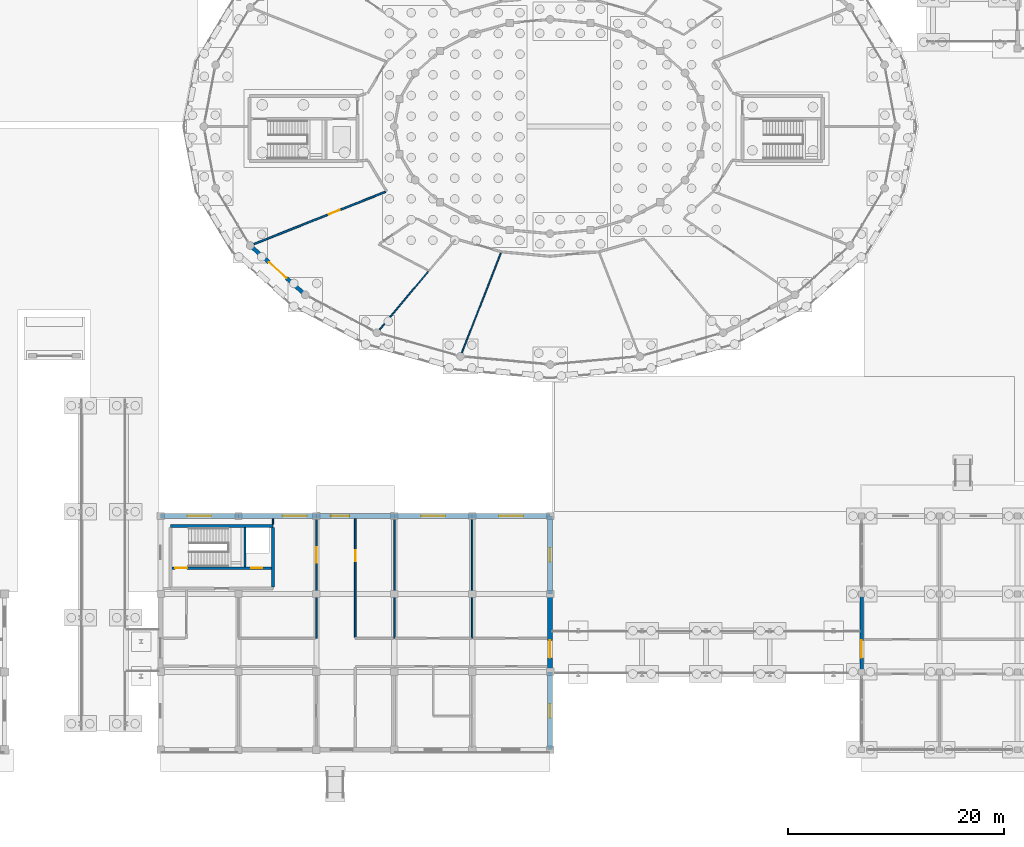
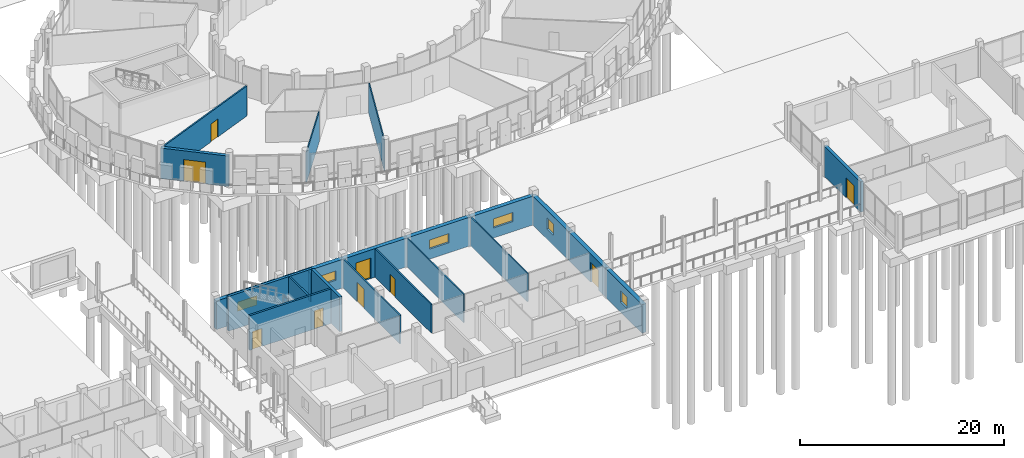
# One storey, part 76 of 98: 22 walls, 9 doors, 6 windows, 15 openings.
"""IFC4 building model written with IfcOpenShell, lengths in metres."""

from ifc_helpers import new_model, si_unit, direction, frame, frame_2d, origin, place, context, subcontext, project, spatial, rectangle, extrude, material, layer, layer_set, type_object, element, fill, save


model = new_model("IFC4")

# Units and contexts
model_context = context("Model", 3, precision=1e-05, world=origin(), true_north=direction((0.0, 1.0)))
body_context = subcontext(model_context, "Body", "Model", "MODEL_VIEW")
ifc_project = project(units=[si_unit("LENGTHUNIT", "METRE"), si_unit("AREAUNIT", "SQUARE_METRE"), si_unit("VOLUMEUNIT", "CUBIC_METRE"), si_unit("PLANEANGLEUNIT", "RADIAN"), si_unit("MASSUNIT", "GRAM", prefix="KILO")], contexts=[model_context])

# Site, building, storey
site_placement = place(None, origin())
site = spatial("IfcSite", under=ifc_project, at=site_placement, CompositionType="ELEMENT")
building_placement = place(site_placement, origin())
building = spatial("IfcBuilding", under=site, at=building_placement, Name="Zornivar Specialist Clinic", CompositionType="ELEMENT")
storey_placement = place(building_placement, origin())
storey = spatial("IfcBuildingStorey", under=building, at=storey_placement, Name="L00", CompositionType="ELEMENT", Elevation=0.0)

# Wall, opening, door
ifc_material_1 = material(Name="Masonry Drum Limestone Portal Wall", Category="masonry")
ifc_layer_1 = layer(ifc_material_1, 0.35009765625)
ifc_layer_set_1 = layer_set([ifc_layer_1], Name="Masonry Drum Limestone Portal Wall")
wall_type_1 = type_object("IfcWallType", Name="EW-DRUM-350", PredefinedType="SOLIDWALL", material=ifc_layer_set_1)
wall_1_placement = place(storey_placement, frame((65.886962890625, 46.60009765625, 0.0), z_axis=(0.0, 0.0, 1.0), x_axis=(0.744835335723, -0.667248321585, 0.0)))
wall_1 = element("IfcWall", 1, at=wall_1_placement, inside=storey, type_object=wall_type_1, Name="ew:V1:L00:c14", PredefinedType="SOLIDWALL", context=body_context, shape_type="SweptSolid", body=[
    extrude(rectangle(XDim=6.828369140625, YDim=0.35009765625, at=frame_2d((3.4140625, 0.0))), origin(), (0.0, 0.0, 1.0), 3.64990234375),
])
opening_1_placement = place(wall_1_placement, frame((2.31396484375, 0.0, 0.0)))
opening_1 = element("IfcOpeningElement", 2, at=opening_1_placement, cuts=wall_1, Name="Opening ED-01", PredefinedType="OPENING", context=body_context, shape_type="SweptSolid", body=[
    extrude(rectangle(XDim=2.199951171875, YDim=2.60009765625, at=frame_2d((1.10009765625, 1.300048828125))), frame((0.0, 0.18505859375, 0.0), z_axis=(0.0, -1.0, 0.0), x_axis=(1.0, 0.0, 0.0)), (0.0, 0.0, 1.0), 0.3701171875),
])
ifc_material_2 = material(Name="Thermally Broken Glazed Aluminium Door", Category="aluminium")
door_type_1 = type_object("IfcDoorType", Name="ED-MAIN-2200x2600", OperationType="NOTDEFINED", PredefinedType="DOOR", material=ifc_material_2)
door_1_placement = place(opening_1_placement, frame((2.199951171875, 0.0, 0.0), z_axis=(0.0, 0.0, 1.0), x_axis=(-1.0, 0.0, 0.0)))
door_1 = element("IfcDoor", 3, at=door_1_placement, inside=storey, type_object=door_type_1, Name="door:V1:L00:c14", OperationType="DOUBLE_DOOR_SINGLE_SWING", OverallHeight=2.60009765625, OverallWidth=2.199951171875, PredefinedType="DOOR", context=body_context, shape_type="SweptSolid", body=[
    extrude(rectangle(XDim=2.199951171875, YDim=2.60009765625, at=frame_2d((1.10009765625, 1.300048828125))), frame((0.0, 0.02490234375, 0.0), z_axis=(0.0, -1.0, 0.0), x_axis=(1.0, 0.0, 0.0)), (0.0, 0.0, 1.0), 0.050048828125),
])
fill(opening_1, door_1)

# Wall, opening, window
ifc_material_3 = material(Name="Barium-shielded concrete C35/45", Category="concrete")
ifc_layer_2 = layer(ifc_material_3, 0.4599609375)
ifc_layer_set_2 = layer_set([ifc_layer_2], Name="Barium-shielded concrete C35/45")
wall_type_2 = type_object("IfcWallType", Name="EW-IMG-SHIELD-460", PredefinedType="SOLIDWALL", material=ifc_layer_set_2)
wall_2_placement = place(storey_placement, frame((93.60009765625, 0.0, 0.0), z_axis=(0.0, 0.0, 1.0), x_axis=(0.0, 1.0, 0.0)))
wall_2 = element("IfcWall", 4, at=wall_2_placement, inside=storey, type_object=wall_type_2, Name="ew:V3:L00:05", PredefinedType="SOLIDWALL", context=body_context, shape_type="SweptSolid", body=[
    extrude(rectangle(XDim=7.199951171875, YDim=0.4599609375, at=frame_2d((3.60009765625, 0.0))), origin(), (0.0, 0.0, 1.0), 3.429931640625),
])
opening_2_placement = place(wall_2_placement, frame((2.97509765625, 0.0, 1.199951171875)))
opening_2 = element("IfcOpeningElement", 5, at=opening_2_placement, cuts=wall_2, Name="Opening W-14", PredefinedType="OPENING", context=body_context, shape_type="SweptSolid", body=[
    extrude(rectangle(XDim=1.25, YDim=1.35009765625, at=frame_2d((0.625, 0.675048828125))), frame((0.0, 0.239990234375, 0.0), z_axis=(0.0, -1.0, 0.0), x_axis=(1.0, 0.0, 0.0)), (0.0, 0.0, 1.0), 0.47998046875),
])
ifc_material_4 = material(Name="Triple-Glazed Aluminium-Timber Window Glass", Category="wood")
window_type_1 = type_object("IfcWindowType", Name="WIN-IMG-CTRL-1250x1350", PartitioningType="SINGLE_PANEL", PredefinedType="WINDOW", material=ifc_material_4)
window_1_placement = place(opening_2_placement, origin())
window_1 = element("IfcWindow", 6, at=window_1_placement, inside=storey, type_object=window_type_1, Name="win:V3:L00:05", OverallHeight=1.35009765625, OverallWidth=1.25, PartitioningType="SINGLE_PANEL", PredefinedType="WINDOW", context=body_context, shape_type="SweptSolid", body=[
    extrude(rectangle(XDim=1.25, YDim=1.35009765625, at=frame_2d((0.625, 0.675048828125))), frame((0.0, 0.030029296875, 0.0), z_axis=(0.0, -1.0, 0.0), x_axis=(1.0, 0.0, 0.0)), (0.0, 0.0, 1.0), 0.06005859375),
])
fill(opening_2, window_1)

# Wall, opening, door
wall_3_placement = place(storey_placement, frame((93.60009765625, 7.199951171875, 0.0), z_axis=(0.0, 0.0, 1.0), x_axis=(0.0, 1.0, 0.0)))
wall_3 = element("IfcWall", 7, at=wall_3_placement, inside=storey, type_object=wall_type_2, Name="ew:V3:L00:06", PredefinedType="SOLIDWALL", context=body_context, shape_type="SweptSolid", body=[
    extrude(rectangle(XDim=7.199951171875, YDim=0.4599609375, at=frame_2d((3.60009765625, 0.0))), origin(), (0.0, 0.0, 1.0), 3.429931640625),
])
opening_3_placement = place(wall_3_placement, frame((1.300048828125, 0.0, 0.0)))
opening_3 = element("IfcOpeningElement", 8, at=opening_3_placement, cuts=wall_3, Name="Opening ED-04", PredefinedType="OPENING", context=body_context, shape_type="SweptSolid", body=[
    extrude(rectangle(XDim=1.60009765625, YDim=2.39990234375, at=frame_2d((0.800048828125, 1.199951171875))), frame((0.0, 0.239990234375, 0.0), z_axis=(0.0, -1.0, 0.0), x_axis=(1.0, 0.0, 0.0)), (0.0, 0.0, 1.0), 0.47998046875),
])
ifc_material_5 = material(Name="Thermally Broken Glazed Aluminium Door", Category="aluminium")
door_type_2 = type_object("IfcDoorType", Name="ED-GARDEN-1600x2400", OperationType="NOTDEFINED", PredefinedType="DOOR", material=ifc_material_5)
door_2_placement = place(opening_3_placement, frame((1.60009765625, 0.0, 0.0), z_axis=(0.0, 0.0, 1.0), x_axis=(-1.0, 0.0, 0.0)))
door_2 = element("IfcDoor", 9, at=door_2_placement, inside=storey, type_object=door_type_2, Name="door:V3:L00:br4", OperationType="DOUBLE_DOOR_SINGLE_SWING", OverallHeight=2.39990234375, OverallWidth=1.60009765625, PredefinedType="DOOR", context=body_context, shape_type="SweptSolid", body=[
    extrude(rectangle(XDim=1.60009765625, YDim=2.39990234375, at=frame_2d((0.800048828125, 1.199951171875))), frame((0.0, 0.02490234375, 0.0), z_axis=(0.0, -1.0, 0.0), x_axis=(1.0, 0.0, 0.0)), (0.0, 0.0, 1.0), 0.050048828125),
])
fill(opening_3, door_2)

# Wall, opening, window
wall_4_placement = place(storey_placement, frame((93.60009765625, 14.39990234375, 0.0), z_axis=(0.0, 0.0, 1.0), x_axis=(0.0, 1.0, 0.0)))
wall_4 = element("IfcWall", 10, at=wall_4_placement, inside=storey, type_object=wall_type_2, Name="ew:V3:L00:07", PredefinedType="SOLIDWALL", context=body_context, shape_type="SweptSolid", body=[
    extrude(rectangle(XDim=7.2001953125, YDim=0.4599609375, at=frame_2d((3.60009765625, 0.0))), origin(), (0.0, 0.0, 1.0), 3.429931640625),
])
opening_4_placement = place(wall_4_placement, frame((2.97509765625, 0.0, 1.199951171875)))
opening_4 = element("IfcOpeningElement", 11, at=opening_4_placement, cuts=wall_4, Name="Opening W-14", PredefinedType="OPENING", context=body_context, shape_type="SweptSolid", body=[
    extrude(rectangle(XDim=1.25, YDim=1.35009765625, at=frame_2d((0.625, 0.675048828125))), frame((0.0, 0.239990234375, 0.0), z_axis=(0.0, -1.0, 0.0), x_axis=(1.0, 0.0, 0.0)), (0.0, 0.0, 1.0), 0.47998046875),
])
window_2_placement = place(opening_4_placement, origin())
window_2 = element("IfcWindow", 12, at=window_2_placement, inside=storey, type_object=window_type_1, Name="win:V3:L00:07", OverallHeight=1.35009765625, OverallWidth=1.25, PartitioningType="SINGLE_PANEL", PredefinedType="WINDOW", context=body_context, shape_type="SweptSolid", body=[
    extrude(rectangle(XDim=1.25, YDim=1.35009765625, at=frame_2d((0.625, 0.675048828125))), frame((0.0, 0.030029296875, 0.0), z_axis=(0.0, -1.0, 0.0), x_axis=(1.0, 0.0, 0.0)), (0.0, 0.0, 1.0), 0.06005859375),
])
fill(opening_4, window_2)

wall_5_placement = place(storey_placement, frame((93.60009765625, 21.60009765625, 0.0), z_axis=(0.0, 0.0, 1.0), x_axis=(-1.0, 0.0, 0.0)))
wall_5 = element("IfcWall", 13, at=wall_5_placement, inside=storey, type_object=wall_type_2, Name="ew:V3:L00:08", PredefinedType="SOLIDWALL", context=body_context, shape_type="SweptSolid", body=[
    extrude(rectangle(XDim=7.2001953125, YDim=0.4599609375, at=frame_2d((3.60009765625, 0.0))), origin(), (0.0, 0.0, 1.0), 3.429931640625),
])
opening_5_placement = place(wall_5_placement, frame((2.5, 0.0, 1.199951171875)))
opening_5 = element("IfcOpeningElement", 14, at=opening_5_placement, cuts=wall_5, Name="Opening W-13", PredefinedType="OPENING", context=body_context, shape_type="SweptSolid", body=[
    extrude(rectangle(XDim=2.199951171875, YDim=1.10009765625, at=frame_2d((1.10009765625, 0.550048828125))), frame((0.0, 0.239990234375, 0.0), z_axis=(0.0, -1.0, 0.0), x_axis=(1.0, 0.0, 0.0)), (0.0, 0.0, 1.0), 0.47998046875),
])
ifc_material_6 = material(Name="Triple-Glazed Aluminium-Timber Window Glass", Category="wood")
window_type_2 = type_object("IfcWindowType", Name="WIN-IMG-CLER-2200x1100", PartitioningType="SINGLE_PANEL", PredefinedType="WINDOW", material=ifc_material_6)
window_3_placement = place(opening_5_placement, origin())
window_3 = element("IfcWindow", 15, at=window_3_placement, inside=storey, type_object=window_type_2, Name="win:V3:L00:08", OverallHeight=1.10009765625, OverallWidth=2.199951171875, PartitioningType="SINGLE_PANEL", PredefinedType="WINDOW", context=body_context, shape_type="SweptSolid", body=[
    extrude(rectangle(XDim=2.199951171875, YDim=1.10009765625, at=frame_2d((1.10009765625, 0.550048828125))), frame((0.0, 0.030029296875, 0.0), z_axis=(0.0, -1.0, 0.0), x_axis=(1.0, 0.0, 0.0)), (0.0, 0.0, 1.0), 0.06005859375),
])
fill(opening_5, window_3)

wall_6_placement = place(storey_placement, frame((86.39990234375, 21.60009765625, 0.0), z_axis=(0.0, 0.0, 1.0), x_axis=(-1.0, 0.0, 0.0)))
wall_6 = element("IfcWall", 16, at=wall_6_placement, inside=storey, type_object=wall_type_2, Name="ew:V3:L00:09", PredefinedType="SOLIDWALL", context=body_context, shape_type="SweptSolid", body=[
    extrude(rectangle(XDim=7.199951171875, YDim=0.4599609375, at=frame_2d((3.60009765625, 0.0))), origin(), (0.0, 0.0, 1.0), 3.429931640625),
])
opening_6_placement = place(wall_6_placement, frame((2.5, 0.0, 1.199951171875)))
opening_6 = element("IfcOpeningElement", 17, at=opening_6_placement, cuts=wall_6, Name="Opening W-13", PredefinedType="OPENING", context=body_context, shape_type="SweptSolid", body=[
    extrude(rectangle(XDim=2.199951171875, YDim=1.10009765625, at=frame_2d((1.10009765625, 0.550048828125))), frame((0.0, 0.239990234375, 0.0), z_axis=(0.0, -1.0, 0.0), x_axis=(1.0, 0.0, 0.0)), (0.0, 0.0, 1.0), 0.47998046875),
])
window_4_placement = place(opening_6_placement, origin())
window_4 = element("IfcWindow", 18, at=window_4_placement, inside=storey, type_object=window_type_2, Name="win:V3:L00:09", OverallHeight=1.10009765625, OverallWidth=2.199951171875, PartitioningType="SINGLE_PANEL", PredefinedType="WINDOW", context=body_context, shape_type="SweptSolid", body=[
    extrude(rectangle(XDim=2.199951171875, YDim=1.10009765625, at=frame_2d((1.10009765625, 0.550048828125))), frame((0.0, 0.030029296875, 0.0), z_axis=(0.0, -1.0, 0.0), x_axis=(1.0, 0.0, 0.0)), (0.0, 0.0, 1.0), 0.06005859375),
])
fill(opening_6, window_4)

# Wall, opening, door
wall_7_placement = place(storey_placement, frame((79.199951171875, 21.60009765625, 0.0), z_axis=(0.0, 0.0, 1.0), x_axis=(-1.0, 0.0, 0.0)))
wall_7 = element("IfcWall", 19, at=wall_7_placement, inside=storey, type_object=wall_type_2, Name="ew:V3:L00:10", PredefinedType="SOLIDWALL", context=body_context, shape_type="SweptSolid", body=[
    extrude(rectangle(XDim=7.199951171875, YDim=0.4599609375, at=frame_2d((3.60009765625, 0.0))), origin(), (0.0, 0.0, 1.0), 3.429931640625),
])
opening_7_placement = place(wall_7_placement, frame((4.14990234375, 0.0, 0.0)))
opening_7 = element("IfcOpeningElement", 20, at=opening_7_placement, cuts=wall_7, Name="Opening ED-05", PredefinedType="OPENING", context=body_context, shape_type="SweptSolid", body=[
    extrude(rectangle(XDim=1.699951171875, YDim=2.449951171875, at=frame_2d((0.85009765625, 1.22509765625))), frame((0.0, 0.239990234375, 0.0), z_axis=(0.0, -1.0, 0.0), x_axis=(1.0, 0.0, 0.0)), (0.0, 0.0, 1.0), 0.47998046875),
])
ifc_material_7 = material(Name="Thermally Broken Glazed Aluminium Door", Category="aluminium")
door_type_3 = type_object("IfcDoorType", Name="ED-COURT-1700x2450", OperationType="NOTDEFINED", PredefinedType="DOOR", material=ifc_material_7)
door_3_placement = place(opening_7_placement, frame((1.699951171875, 0.0, 0.0), z_axis=(0.0, 0.0, 1.0), x_axis=(-1.0, 0.0, 0.0)))
door_3 = element("IfcDoor", 21, at=door_3_placement, inside=storey, type_object=door_type_3, Name="door:V3:L00:10", OperationType="DOUBLE_DOOR_SINGLE_SWING", OverallHeight=2.449951171875, OverallWidth=1.699951171875, PredefinedType="DOOR", context=body_context, shape_type="SweptSolid", body=[
    extrude(rectangle(XDim=1.699951171875, YDim=2.449951171875, at=frame_2d((0.85009765625, 1.22509765625))), frame((0.0, 0.02490234375, 0.0), z_axis=(0.0, -1.0, 0.0), x_axis=(1.0, 0.0, 0.0)), (0.0, 0.0, 1.0), 0.050048828125),
])
fill(opening_7, door_3)

# Wall, opening, window
wall_8_placement = place(storey_placement, frame((72.0, 21.60009765625, 0.0), z_axis=(0.0, 0.0, 1.0), x_axis=(-1.0, 0.0, 0.0)))
wall_8 = element("IfcWall", 22, at=wall_8_placement, inside=storey, type_object=wall_type_2, Name="ew:V3:L00:11", PredefinedType="SOLIDWALL", context=body_context, shape_type="SweptSolid", body=[
    extrude(rectangle(XDim=7.199951171875, YDim=0.4599609375, at=frame_2d((3.60009765625, 0.0))), origin(), (0.0, 0.0, 1.0), 3.429931640625),
])
opening_8_placement = place(wall_8_placement, frame((0.89990234375, 0.0, 1.199951171875)))
opening_8 = element("IfcOpeningElement", 23, at=opening_8_placement, cuts=wall_8, Name="Opening W-13", PredefinedType="OPENING", context=body_context, shape_type="SweptSolid", body=[
    extrude(rectangle(XDim=2.199951171875, YDim=1.10009765625, at=frame_2d((1.10009765625, 0.550048828125))), frame((0.0, 0.239990234375, 0.0), z_axis=(0.0, -1.0, 0.0), x_axis=(1.0, 0.0, 0.0)), (0.0, 0.0, 1.0), 0.47998046875),
])
window_5_placement = place(opening_8_placement, origin())
window_5 = element("IfcWindow", 24, at=window_5_placement, inside=storey, type_object=window_type_2, Name="win:V3:L00:11", OverallHeight=1.10009765625, OverallWidth=2.199951171875, PartitioningType="SINGLE_PANEL", PredefinedType="WINDOW", context=body_context, shape_type="SweptSolid", body=[
    extrude(rectangle(XDim=2.199951171875, YDim=1.10009765625, at=frame_2d((1.10009765625, 0.550048828125))), frame((0.0, 0.030029296875, 0.0), z_axis=(0.0, -1.0, 0.0), x_axis=(1.0, 0.0, 0.0)), (0.0, 0.0, 1.0), 0.06005859375),
])
fill(opening_8, window_5)

wall_9_placement = place(storey_placement, frame((64.800048828125, 21.60009765625, 0.0), z_axis=(0.0, 0.0, 1.0), x_axis=(-1.0, 0.0, 0.0)))
wall_9 = element("IfcWall", 25, at=wall_9_placement, inside=storey, type_object=wall_type_2, Name="ew:V3:L00:12", PredefinedType="SOLIDWALL", context=body_context, shape_type="SweptSolid", body=[
    extrude(rectangle(XDim=7.199951171875, YDim=0.4599609375, at=frame_2d((3.60009765625, 0.0))), origin(), (0.0, 0.0, 1.0), 3.429931640625),
])
opening_9_placement = place(wall_9_placement, frame((2.5, 0.0, 1.199951171875)))
opening_9 = element("IfcOpeningElement", 26, at=opening_9_placement, cuts=wall_9, Name="Opening W-13", PredefinedType="OPENING", context=body_context, shape_type="SweptSolid", body=[
    extrude(rectangle(XDim=2.199951171875, YDim=1.10009765625, at=frame_2d((1.10009765625, 0.550048828125))), frame((0.0, 0.239990234375, 0.0), z_axis=(0.0, -1.0, 0.0), x_axis=(1.0, 0.0, 0.0)), (0.0, 0.0, 1.0), 0.47998046875),
])
window_6_placement = place(opening_9_placement, origin())
window_6 = element("IfcWindow", 27, at=window_6_placement, inside=storey, type_object=window_type_2, Name="win:V3:L00:12", OverallHeight=1.10009765625, OverallWidth=2.199951171875, PartitioningType="SINGLE_PANEL", PredefinedType="WINDOW", context=body_context, shape_type="SweptSolid", body=[
    extrude(rectangle(XDim=2.199951171875, YDim=1.10009765625, at=frame_2d((1.10009765625, 0.550048828125))), frame((0.0, 0.030029296875, 0.0), z_axis=(0.0, -1.0, 0.0), x_axis=(1.0, 0.0, 0.0)), (0.0, 0.0, 1.0), 0.06005859375),
])
fill(opening_9, window_6)

# Wall, opening, door
ifc_material_8 = material(Name="Masonry Healing Pavilion Coursed Limestone Wall", Category="masonry")
ifc_layer_3 = layer(ifc_material_8, 0.320068359375)
ifc_layer_set_3 = layer_set([ifc_layer_3], Name="Masonry Healing Pavilion Coursed Limestone Wall")
wall_type_3 = type_object("IfcWallType", Name="EW-PAV-320", PredefinedType="SOLIDWALL", material=ifc_layer_set_3)
wall_10_placement = place(storey_placement, frame((122.39990234375, 14.39990234375, 0.0), z_axis=(0.0, 0.0, 1.0), x_axis=(0.0, -1.0, 0.0)))
wall_10 = element("IfcWall", 28, at=wall_10_placement, inside=storey, type_object=wall_type_3, Name="ew:V4:L00:16", PredefinedType="SOLIDWALL", context=body_context, shape_type="SweptSolid", body=[
    extrude(rectangle(XDim=7.199951171875, YDim=0.320068359375, at=frame_2d((3.60009765625, 0.0))), origin(), (0.0, 0.0, 1.0), 3.6201171875),
])
opening_10_placement = place(wall_10_placement, frame((4.300048828125, 0.0, 0.0)))
opening_10 = element("IfcOpeningElement", 29, at=opening_10_placement, cuts=wall_10, Name="Opening ED-04", PredefinedType="OPENING", context=body_context, shape_type="SweptSolid", body=[
    extrude(rectangle(XDim=1.60009765625, YDim=2.39990234375, at=frame_2d((0.800048828125, 1.199951171875))), frame((0.0, 0.169921875, 0.0), z_axis=(0.0, -1.0, 0.0), x_axis=(1.0, 0.0, 0.0)), (0.0, 0.0, 1.0), 0.340087890625),
])
door_4_placement = place(opening_10_placement, frame((1.60009765625, 0.0, 0.0), z_axis=(0.0, 0.0, 1.0), x_axis=(-1.0, 0.0, 0.0)))
door_4 = element("IfcDoor", 30, at=door_4_placement, inside=storey, type_object=door_type_2, Name="door:V4:L00:br4", OperationType="DOUBLE_DOOR_SINGLE_SWING", OverallHeight=2.39990234375, OverallWidth=1.60009765625, PredefinedType="DOOR", context=body_context, shape_type="SweptSolid", body=[
    extrude(rectangle(XDim=1.60009765625, YDim=2.39990234375, at=frame_2d((0.800048828125, 1.199951171875))), frame((0.0, 0.02490234375, 0.0), z_axis=(0.0, -1.0, 0.0), x_axis=(1.0, 0.0, 0.0)), (0.0, 0.0, 1.0), 0.050048828125),
])
fill(opening_10, door_4)

# Walls
ifc_material_9 = material(Name="Acoustic Clinical Stud Partition")
ifc_layer_4 = layer(ifc_material_9, 0.139892578125)
ifc_layer_set_4 = layer_set([ifc_layer_4], Name="Acoustic Clinical Stud Partition")
wall_type_4 = type_object("IfcWallType", Name="IW-CLIN-140", PredefinedType="PARTITIONING", material=ifc_layer_set_4)
for number, where, z_axis, x_axis, name in (
    (31, (79.199951171875, 21.35498046875, 0.0), (0.0, 0.0, 1.0), (0.0, -1.0, 0.0), "iw:L00:126"),
    (32, (86.39990234375, 21.35498046875, 0.0), (0.0, 0.0, 1.0), (0.0, -1.0, 0.0), "iw:L00:135"),
):
    element("IfcWall", number, at=place(storey_placement, frame(where, z_axis=z_axis, x_axis=x_axis)), inside=storey, type_object=wall_type_4, Name=name, PredefinedType="PARTITIONING", context=body_context, shape_type="SweptSolid", body=[
        extrude(rectangle(XDim=11.054931640625, YDim=0.139892578125, at=frame_2d((5.52734375, 0.0))), origin(), (0.0, 0.0, 1.0), 3.409912109375),
    ])

# Wall, opening, door
ifc_material_10 = material(Name="Gypsum Fire-Rated Double Stud Partition")
ifc_layer_5 = layer(ifc_material_10, 0.159912109375)
ifc_layer_set_5 = layer_set([ifc_layer_5], Name="Gypsum Fire-Rated Double Stud Partition")
wall_type_5 = type_object("IfcWallType", Name="IW-CORR-EI60-160", PredefinedType="PARTITIONING", material=ifc_layer_set_5)
wall_11_placement = place(storey_placement, frame((78.39501953125, 51.56494140625, 0.0), z_axis=(0.0, 0.0, 1.0), x_axis=(-0.929442280211, -0.368967542957, 0.0)))
wall_11 = element("IfcWall", 33, at=wall_11_placement, inside=storey, type_object=wall_type_5, Name="iw:L00:051", PredefinedType="PARTITIONING", context=body_context, shape_type="SweptSolid", body=[
    extrude(rectangle(XDim=13.08740234375, YDim=0.159912109375, at=frame_2d((6.543701171875, 0.0))), origin(), (0.0, 0.0, 1.0), 3.590087890625),
])
opening_11_placement = place(wall_11_placement, frame((4.573974609375, 0.0, 0.0)))
opening_11 = element("IfcOpeningElement", 34, at=opening_11_placement, cuts=wall_11, Name="Opening ID-03", PredefinedType="OPENING", context=body_context, shape_type="SweptSolid", body=[
    extrude(rectangle(XDim=1.050048828125, YDim=2.14990234375, at=frame_2d((0.52490234375, 1.074951171875))), frame((0.0, 0.08984375, 0.0), z_axis=(0.0, -1.0, 0.0), x_axis=(1.0, 0.0, 0.0)), (0.0, 0.0, 1.0), 0.179931640625),
])
ifc_material_11 = material(Name="Solid-Core Hygienic Laminate Timber Door", Category="wood")
door_type_4 = type_object("IfcDoorType", Name="ID-CONS-1050x2150", OperationType="NOTDEFINED", PredefinedType="DOOR", material=ifc_material_11)
door_5_placement = place(opening_11_placement, origin())
door_5 = element("IfcDoor", 35, at=door_5_placement, inside=storey, type_object=door_type_4, Name="door:space:V1:L00:rm:09", OperationType="SINGLE_SWING_RIGHT", OverallHeight=2.14990234375, OverallWidth=1.050048828125, PredefinedType="DOOR", context=body_context, shape_type="SweptSolid", body=[
    extrude(rectangle(XDim=1.050048828125, YDim=2.14990234375, at=frame_2d((0.52490234375, 1.074951171875))), frame((0.0, 0.02490234375, 0.0), z_axis=(0.0, -1.0, 0.0), x_axis=(1.0, 0.0, 0.0)), (0.0, 0.0, 1.0), 0.050048828125),
])
fill(opening_11, door_5)

wall_12_placement = place(storey_placement, frame((72.0, 21.35498046875, 0.0), z_axis=(0.0, 0.0, 1.0), x_axis=(0.0, -1.0, 0.0)))
wall_12 = element("IfcWall", 36, at=wall_12_placement, inside=storey, type_object=wall_type_5, Name="iw:L00:119", PredefinedType="PARTITIONING", context=body_context, shape_type="SweptSolid", body=[
    extrude(rectangle(XDim=11.054931640625, YDim=0.159912109375, at=frame_2d((5.52734375, 0.0))), origin(), (0.0, 0.0, 1.0), 3.409912109375),
])
opening_12_placement = place(wall_12_placement, frame((2.654052734375, 0.0, 0.0)))
opening_12 = element("IfcOpeningElement", 37, at=opening_12_placement, cuts=wall_12, Name="Opening ID-12", PredefinedType="OPENING", context=body_context, shape_type="SweptSolid", body=[
    extrude(rectangle(XDim=1.39990234375, YDim=2.300048828125, at=frame_2d((0.699951171875, 1.14990234375))), frame((0.0, 0.08984375, 0.0), z_axis=(0.0, -1.0, 0.0), x_axis=(1.0, 0.0, 0.0)), (0.0, 0.0, 1.0), 0.179931640625),
])
ifc_material_12 = material(Name="Solid-Core Hygienic Laminate Timber Door", Category="wood")
door_type_5 = type_object("IfcDoorType", Name="ID-WAIT-1400x2300", OperationType="NOTDEFINED", PredefinedType="DOOR", material=ifc_material_12)
door_6_placement = place(opening_12_placement, origin())
door_6 = element("IfcDoor", 38, at=door_6_placement, inside=storey, type_object=door_type_5, Name="door:space:V3:L00:rm:03", OperationType="DOUBLE_DOOR_SINGLE_SWING", OverallHeight=2.300048828125, OverallWidth=1.39990234375, PredefinedType="DOOR", context=body_context, shape_type="SweptSolid", body=[
    extrude(rectangle(XDim=1.39990234375, YDim=2.300048828125, at=frame_2d((0.699951171875, 1.14990234375))), frame((0.0, 0.02490234375, 0.0), z_axis=(0.0, -1.0, 0.0), x_axis=(1.0, 0.0, 0.0)), (0.0, 0.0, 1.0), 0.050048828125),
])
fill(opening_12, door_6)

wall_13_placement = place(storey_placement, frame((75.60009765625, 10.39404296875, 0.0), z_axis=(0.0, 0.0, 1.0), x_axis=(0.0, 1.0, 0.0)))
wall_13 = element("IfcWall", 39, at=wall_13_placement, inside=storey, type_object=wall_type_5, Name="iw:L00:128", PredefinedType="PARTITIONING", context=body_context, shape_type="SweptSolid", body=[
    extrude(rectangle(XDim=10.9609375, YDim=0.159912109375, at=frame_2d((5.48046875, 0.0))), origin(), (0.0, 0.0, 1.0), 3.409912109375),
])
opening_13_placement = place(wall_13_placement, frame((7.011962890625, 0.0, 0.0)))
opening_13 = element("IfcOpeningElement", 40, at=opening_13_placement, cuts=wall_13, Name="Opening ID-03", PredefinedType="OPENING", context=body_context, shape_type="SweptSolid", body=[
    extrude(rectangle(XDim=1.050048828125, YDim=2.14990234375, at=frame_2d((0.52490234375, 1.074951171875))), frame((0.0, 0.08984375, 0.0), z_axis=(0.0, -1.0, 0.0), x_axis=(1.0, 0.0, 0.0)), (0.0, 0.0, 1.0), 0.179931640625),
])
door_7_placement = place(opening_13_placement, origin())
door_7 = element("IfcDoor", 41, at=door_7_placement, inside=storey, type_object=door_type_4, Name="door:space:V3:L00:rm:05", OperationType="SINGLE_SWING_LEFT", OverallHeight=2.14990234375, OverallWidth=1.050048828125, PredefinedType="DOOR", context=body_context, shape_type="SweptSolid", body=[
    extrude(rectangle(XDim=1.050048828125, YDim=2.14990234375, at=frame_2d((0.52490234375, 1.074951171875))), frame((0.0, 0.02490234375, 0.0), z_axis=(0.0, -1.0, 0.0), x_axis=(1.0, 0.0, 0.0)), (0.0, 0.0, 1.0), 0.050048828125),
])
fill(opening_13, door_7)

# Walls
ifc_material_13 = material(Name="Acoustic Glazed Consultation Partition")
ifc_layer_6 = layer(ifc_material_13, 0.1201171875)
ifc_layer_set_6 = layer_set([ifc_layer_6], Name="Acoustic Glazed Consultation Partition")
wall_type_6 = type_object("IfcWallType", Name="IW-GLAZ-120", PredefinedType="PARTITIONING", material=ifc_layer_set_6)
wall_14_placement = place(storey_placement, frame((77.837890625, 38.830078125, 0.0), z_axis=(0.0, 0.0, 1.0), x_axis=(0.643095679517, 0.76578583624, 0.0)))
element("IfcWall", 42, at=wall_14_placement, inside=storey, type_object=wall_type_6, Name="iw:L00:056", PredefinedType="PARTITIONING", context=body_context, shape_type="SweptSolid", body=[
    extrude(rectangle(XDim=7.00830078125, YDim=0.1201171875, at=frame_2d((3.504150390625, 0.0))), origin(), (0.0, 0.0, 1.0), 3.590087890625),
])
wall_15_placement = place(storey_placement, frame((89.050048828125, 45.926025390625, 0.0), z_axis=(0.0, 0.0, 1.0), x_axis=(-0.363176298082, -0.931720439033, 0.0)))
element("IfcWall", 43, at=wall_15_placement, inside=storey, type_object=wall_type_6, Name="iw:L00:058", PredefinedType="PARTITIONING", context=body_context, shape_type="SweptSolid", body=[
    extrude(rectangle(XDim=9.907470703125, YDim=0.1201171875, at=frame_2d((4.95361328125, 0.0))), origin(), (0.0, 0.0, 1.0), 3.590087890625),
])
wall_16_placement = place(storey_placement, frame((68.0, 20.85498046875, 0.0), z_axis=(0.0, 0.0, 1.0), x_axis=(0.0, 1.0, 0.0)))
element("IfcWall", 44, at=wall_16_placement, inside=storey, type_object=wall_type_6, Name="iw:L00:122", PredefinedType="PARTITIONING", context=body_context, shape_type="SweptSolid", body=[
    extrude(rectangle(XDim=0.5, YDim=0.1201171875, at=frame_2d((0.25, 0.0))), origin(), (0.0, 0.0, 1.0), 3.409912109375),
])
ifc_material_14 = material(Name="Concrete C35/45", Category="concrete")
ifc_layer_7 = layer(ifc_material_14, 0.280029296875)
ifc_layer_set_7 = layer_set([ifc_layer_7], Name="Concrete C35/45")
wall_type_7 = type_object("IfcWallType", Name="SW-CORE-280", PredefinedType="SHEAR", material=ifc_layer_set_7)
wall_17_placement = place(storey_placement, frame((68.0, 15.0400390625, 0.0), z_axis=(0.0, 0.0, 1.0), x_axis=(0.0, 1.0, 0.0)))
element("IfcWall", 45, at=wall_17_placement, inside=storey, type_object=wall_type_7, Name="sw:C5:L00:w1", PredefinedType="SHEAR", context=body_context, shape_type="SweptSolid", body=[
    extrude(rectangle(XDim=5.52001953125, YDim=0.280029296875, at=frame_2d((2.760009765625, 0.0))), origin(), (0.0, 0.0, 1.0), 4.14990234375),
])
wall_18_placement = place(storey_placement, frame((68.0, 20.699951171875, 0.0), z_axis=(0.0, 0.0, 1.0), x_axis=(-1.0, 0.0, 0.0)))
element("IfcWall", 46, at=wall_18_placement, inside=storey, type_object=wall_type_7, Name="sw:C5:L00:w2", PredefinedType="SHEAR", context=body_context, shape_type="SweptSolid", body=[
    extrude(rectangle(XDim=9.5, YDim=0.280029296875, at=frame_2d((4.75, 0.0))), origin(), (0.0, 0.0, 1.0), 4.14990234375),
])
ifc_material_15 = material(Name="Concrete C30/37", Category="concrete")
ifc_layer_8 = layer(ifc_material_15, 0.199951171875)
ifc_layer_set_8 = layer_set([ifc_layer_8], Name="Concrete C30/37")
wall_type_8 = type_object("IfcWallType", Name="SW-LIFT-200", PredefinedType="SHEAR", material=ifc_layer_set_8)
wall_19_placement = place(storey_placement, frame((65.39990234375, 16.89990234375, 0.0), z_axis=(0.0, 0.0, 1.0), x_axis=(0.0, 1.0, 0.0)))
element("IfcWall", 47, at=wall_19_placement, inside=storey, type_object=wall_type_8, Name="sw:C5:L00:sdiv", PredefinedType="SHEAR", context=body_context, shape_type="SweptSolid", body=[
    extrude(rectangle(XDim=3.66015625, YDim=0.199951171875, at=frame_2d((1.830078125, 0.0))), origin(), (0.0, 0.0, 1.0), 4.14990234375),
])

# Wall, openings, doors
ifc_material_16 = material(Name="Concrete C30/37", Category="concrete")
ifc_layer_9 = layer(ifc_material_16, 0.219970703125)
ifc_layer_set_9 = layer_set([ifc_layer_9], Name="Concrete C30/37")
wall_type_9 = type_object("IfcWallType", Name="SW-SHAFT-220", PredefinedType="SHEAR", material=ifc_layer_set_9)
wall_20_placement = place(storey_placement, frame((58.639892578125, 16.7900390625, 0.0), z_axis=(0.0, 0.0, 1.0), x_axis=(1.0, 0.0, 0.0)))
wall_20 = element("IfcWall", 48, at=wall_20_placement, inside=storey, type_object=wall_type_9, Name="sw:C5:L00:stwall", PredefinedType="SHEAR", context=body_context, shape_type="SweptSolid", body=[
    extrude(rectangle(XDim=9.22021484375, YDim=0.219970703125, at=frame_2d((4.610107421875, 0.0))), origin(), (0.0, 0.0, 1.0), 4.14990234375),
])
opening_14_placement = place(wall_20_placement, frame((0.31005859375, 0.0, 0.0)))
opening_14 = element("IfcOpeningElement", 49, at=opening_14_placement, cuts=wall_20, Name="Opening FD-02", PredefinedType="OPENING", context=body_context, shape_type="SweptSolid", body=[
    extrude(rectangle(XDim=1.10009765625, YDim=2.14990234375, at=frame_2d((0.550048828125, 1.074951171875))), frame((0.0, 0.119873046875, 0.0), z_axis=(0.0, -1.0, 0.0), x_axis=(1.0, 0.0, 0.0)), (0.0, 0.0, 1.0), 0.239990234375),
])
opening_15_placement = place(wall_20_placement, frame((7.360107421875, 0.0, 0.0)))
opening_15 = element("IfcOpeningElement", 50, at=opening_15_placement, cuts=wall_20, Name="Opening LD-02", PredefinedType="OPENING", context=body_context, shape_type="SweptSolid", body=[
    extrude(rectangle(XDim=1.0, YDim=2.199951171875, at=frame_2d((0.5, 1.10009765625))), frame((0.0, 0.119873046875, 0.0), z_axis=(0.0, -1.0, 0.0), x_axis=(1.0, 0.0, 0.0)), (0.0, 0.0, 1.0), 0.239990234375),
])
ifc_material_17 = material(Name="Solid-Core Hygienic Laminate Timber Door", Category="wood")
door_type_6 = type_object("IfcDoorType", Name="FD-STAIR-1100x2150", OperationType="NOTDEFINED", PredefinedType="DOOR", material=ifc_material_17)
door_8_placement = place(opening_14_placement, origin())
door_8 = element("IfcDoor", 51, at=door_8_placement, inside=storey, type_object=door_type_6, Name="door:C5:L00:stair", OperationType="SINGLE_SWING_LEFT", OverallHeight=2.14990234375, OverallWidth=1.10009765625, PredefinedType="DOOR", context=body_context, shape_type="SweptSolid", body=[
    extrude(rectangle(XDim=1.10009765625, YDim=2.14990234375, at=frame_2d((0.550048828125, 1.074951171875))), frame((0.0, 0.02490234375, 0.0), z_axis=(0.0, -1.0, 0.0), x_axis=(1.0, 0.0, 0.0)), (0.0, 0.0, 1.0), 0.050048828125),
])
fill(opening_14, door_8)
ifc_material_18 = material(Name="Stainless Steel Lift Landing Sliding Door", Category="steel")
door_type_7 = type_object("IfcDoorType", Name="LD-LIFT-1000x2200", OperationType="NOTDEFINED", PredefinedType="DOOR", material=ifc_material_18)
door_9_placement = place(opening_15_placement, origin())
door_9 = element("IfcDoor", 52, at=door_9_placement, inside=storey, type_object=door_type_7, Name="door:C5:L00:lift", OperationType="DOUBLE_DOOR_SLIDING", OverallHeight=2.199951171875, OverallWidth=1.0, PredefinedType="DOOR", context=body_context, shape_type="SweptSolid", body=[
    extrude(rectangle(XDim=1.0, YDim=2.199951171875, at=frame_2d((0.5, 1.10009765625))), frame((0.0, 0.02490234375, 0.0), z_axis=(0.0, -1.0, 0.0), x_axis=(1.0, 0.0, 0.0)), (0.0, 0.0, 1.0), 0.050048828125),
])
fill(opening_15, door_9)

save(model, "model.ifc")
